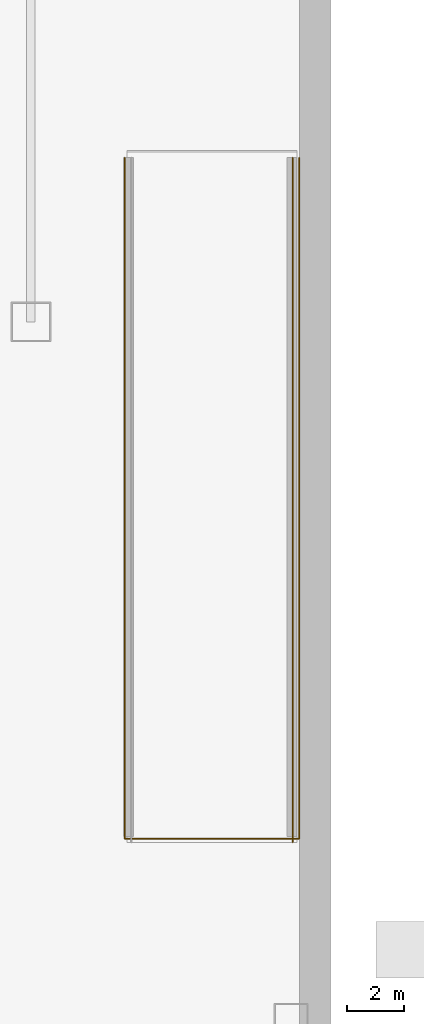
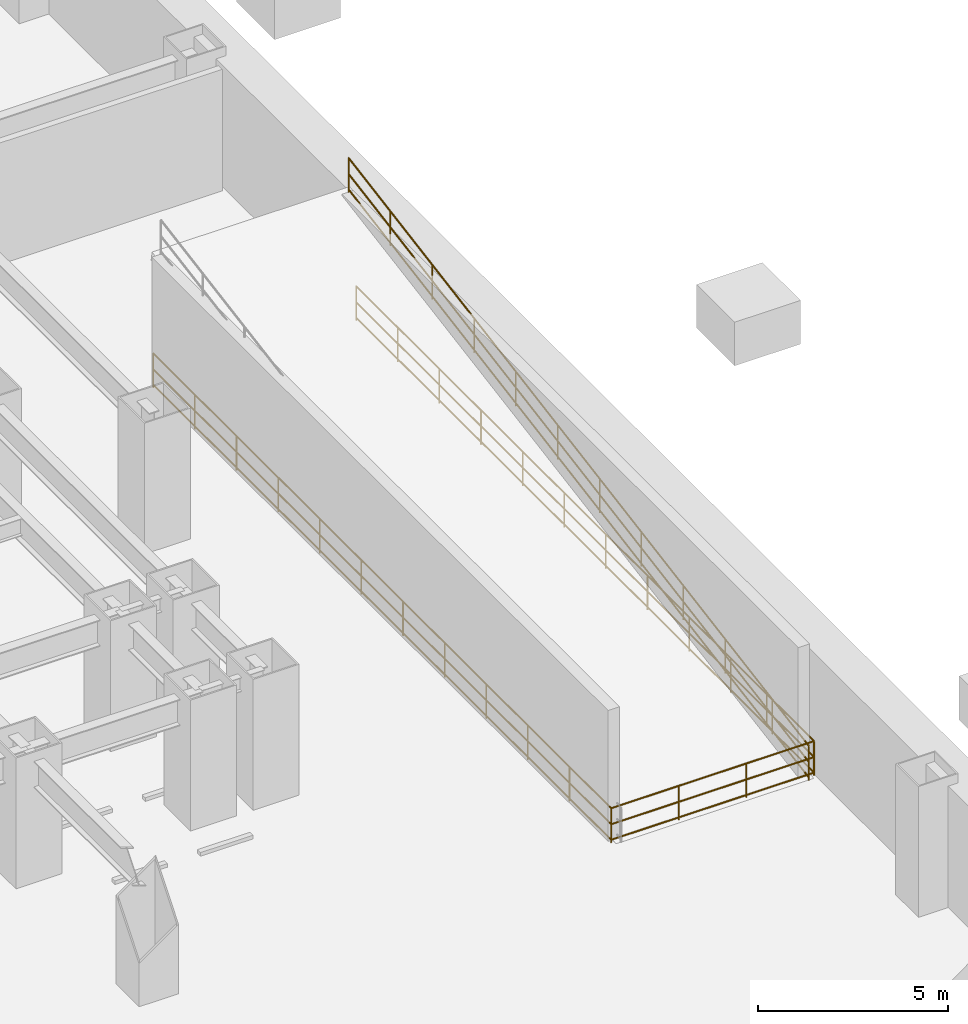
# One storey, part 7 of 7: 2 railings.
"""IFC4 building model written with IfcOpenShell, lengths in metres."""

import ifcopenshell
import ifcopenshell.guid

model = None  # the IFC model being written
_history = None  # IfcOwnerHistory: only IFC2X3 demands one
_inside = {}  # id of a spatial element -> (the spatial element, [elements in it])
_under = {}  # id of a project, library or spatial element -> (it, [spatial elements below it])
_declared = {}  # id of a project -> (the project, [libraries it declares])
_typed = {}  # id of a type object -> (the type object, [elements of that type])
_made_of = {}  # id of a material, layer set ... -> (it, [elements and type objects made of it])


def new_model(schema):
    """Start an empty IFC model of exactly this schema.

    Asked for "IFC4X3", IfcOpenShell would pick the latest addendum, in which some entities
    have other attributes; the version numbers below select the first issue.
    IFC2X3 requires an IfcOwnerHistory on every rooted entity: one is made here for all.
    """
    global model, _history
    if schema == "IFC4X3":
        model = ifcopenshell.file(schema_version=(4, 3, 0, 0))
    else:
        model = ifcopenshell.file(schema=schema)
    _inside.clear()
    _under.clear()
    _declared.clear()
    _typed.clear()
    _made_of.clear()
    _history = None
    if model.schema == "IFC2X3":
        org = make("IfcOrganization", Name="unknown")
        user = make(
            "IfcPersonAndOrganization",
            ThePerson=make("IfcPerson", FamilyName="unknown"),
            TheOrganization=org,
        )
        app = make(
            "IfcApplication",
            ApplicationDeveloper=org,
            Version="unknown",
            ApplicationFullName="unknown",
            ApplicationIdentifier="unknown",
        )
        _history = make(
            "IfcOwnerHistory",
            OwningUser=user,
            OwningApplication=app,
            ChangeAction="ADDED",
            CreationDate=0,
        )
    return model


def make(cls, **values):
    """One entity of the class cls with the attributes given. An attribute that is None is left unset."""
    return model.create_entity(
        cls, **{name: value for name, value in values.items() if value is not None}
    )


def rooted(cls, **values):
    """An entity with a GlobalId (a new one), such as an element, a storey or a relation."""
    return make(cls, GlobalId=ifcopenshell.guid.new(), OwnerHistory=_history, **values)


def si_unit(unit_type, name, prefix=None):
    """IfcSIUnit, for example si_unit("LENGTHUNIT", "METRE", prefix="MILLI")."""
    return make("IfcSIUnit", UnitType=unit_type, Prefix=prefix, Name=name)


def assignment(units):
    """IfcUnitAssignment: the units of a project."""
    return None if units is None else make("IfcUnitAssignment", Units=units)


def point(xyz):
    """IfcCartesianPoint."""
    return None if xyz is None else make("IfcCartesianPoint", Coordinates=xyz)


def direction(xyz):
    """IfcDirection."""
    return None if xyz is None else make("IfcDirection", DirectionRatios=xyz)


def frame(location, z_axis=None, x_axis=None):
    """IfcAxis2Placement3D, a coordinate frame: its origin and axes. An axis left out is left unset."""
    return make(
        "IfcAxis2Placement3D",
        Location=point(location),
        Axis=direction(z_axis),
        RefDirection=direction(x_axis),
    )


def frame_2d(location, x_axis=None):
    """IfcAxis2Placement2D, a coordinate frame in the plane: its origin and x axis."""
    return make(
        "IfcAxis2Placement2D", Location=point(location), RefDirection=direction(x_axis)
    )


def origin():
    """The frame at (0, 0, 0) with its axes left unset."""
    return frame((0.0, 0.0, 0.0))


def origin_2d():
    """The frame at (0, 0) in the plane with its x axis left unset."""
    return frame_2d((0.0, 0.0))


def place(relative_to, where):
    """IfcLocalPlacement: puts the frame where relative to a parent placement (None: the world)."""
    return make(
        "IfcLocalPlacement", PlacementRelTo=relative_to, RelativePlacement=where
    )


def context(
    kind, dimensions, precision=None, world=None, true_north=None, identifier=None
):
    """IfcGeometricRepresentationContext, for example the 3D "Model" context."""
    return make(
        "IfcGeometricRepresentationContext",
        ContextIdentifier=identifier,
        ContextType=kind,
        CoordinateSpaceDimension=dimensions,
        Precision=precision,
        WorldCoordinateSystem=world,
        TrueNorth=true_north,
    )


def subcontext(parent, identifier, kind, view, scale=None):
    """IfcGeometricRepresentationSubContext, for example "Body" below "Model"."""
    return make(
        "IfcGeometricRepresentationSubContext",
        ContextIdentifier=identifier,
        ContextType=kind,
        ParentContext=parent,
        TargetScale=scale,
        TargetView=view,
    )


def project(units=None, contexts=None):
    """IfcProject with its units and contexts."""
    return rooted(
        "IfcProject",
        Name="project",
        RepresentationContexts=contexts,
        UnitsInContext=assignment(units),
    )


def spatial(cls, under=None, at=None, **own):
    """A site, building, storey or space (cls), placed at a placement, below another one or the project."""
    s = rooted(cls, ObjectPlacement=at, **own)
    if under is not None:
        _under.setdefault(under.id(), (under, []))[1].append(s)
    return s


def profile(cls, at=None, kind="AREA", **sizes):
    """A parametric profile (cls). Its sizes go by their IFC names, for example OverallWidth=200.0."""
    return make(cls, ProfileType=kind, Position=at, **sizes)


def circle(**sizes):
    """IfcCircleProfileDef."""
    return profile("IfcCircleProfileDef", **sizes)


def extrude(swept, where, along, depth):
    """IfcExtrudedAreaSolid: the profile swept, set in the frame where, extruded along a direction by depth."""
    return make(
        "IfcExtrudedAreaSolid",
        SweptArea=swept,
        Position=where,
        ExtrudedDirection=direction(along),
        Depth=depth,
    )


def shape(context_of_items, identifier, shape_type, items):
    """IfcShapeRepresentation: the items that make up one representation, for example the "Body"."""
    return make(
        "IfcShapeRepresentation",
        ContextOfItems=context_of_items,
        RepresentationIdentifier=identifier,
        RepresentationType=shape_type,
        Items=items,
    )


def material(Name=None, Category=None):
    """IfcMaterial."""
    return make("IfcMaterial", Name=Name, Category=Category)


def made_of(thing, what):
    """Note that an element or type object is made of a material, layer set ...; save() writes the relation."""
    if what is not None:
        _made_of.setdefault(what.id(), (what, []))[1].append(thing)
    return thing


def type_object(cls, material=None, **own):
    """A type object (cls), such as IfcWallType, which elements share."""
    return made_of(rooted(cls, **own), material)


def element(
    cls,
    number,
    at=None,
    inside=None,
    cuts=None,
    type_object=None,
    material=None,
    context=None,
    identifier="Body",
    shape_type=None,
    held_by="IfcProductDefinitionShape",
    body=None,
    shapes=None,
    **own,
):
    """One element of the class cls, such as IfcWall. Its Tag is "e" and its number.

    at: its placement. inside: the storey or other place that contains it. cuts: it is an
    opening in that element (IfcRelVoidsElement). A single representation is given by context,
    identifier, shape_type and body (its items); several are given by shapes. held_by: the class
    of the entity that holds the representations. save() writes the other relations.
    """
    e = rooted(cls, Tag="e%d" % number, ObjectPlacement=at, **own)
    if body is not None:
        shapes = [shape(context, identifier, shape_type, body)]
    if shapes is not None:
        e.Representation = make(held_by, Representations=shapes)
    if inside is not None:
        _inside.setdefault(inside.id(), (inside, []))[1].append(e)
    if cuts is not None:
        rooted(
            "IfcRelVoidsElement", RelatingBuildingElement=cuts, RelatedOpeningElement=e
        )
    if type_object is not None:
        _typed.setdefault(type_object.id(), (type_object, []))[1].append(e)
    return made_of(e, material)


def aggregate(whole, parts):
    """IfcRelAggregates: a whole, such as a stair, and the parts it consists of."""
    return rooted("IfcRelAggregates", RelatingObject=whole, RelatedObjects=parts)


def save(model, path):
    """Write the relations noted so far, then the file.

    IfcRelAggregates (storeys below a building ...), IfcRelContainedInSpatialStructure (elements
    in a storey), IfcRelDefinesByType, IfcRelAssociatesMaterial and IfcRelDeclares: one each for
    every whole, place, type object, material and project.
    """
    for whole, parts in _under.values():
        aggregate(whole, parts)
    for where, things in _inside.values():
        rooted(
            "IfcRelContainedInSpatialStructure",
            RelatedElements=things,
            RelatingStructure=where,
        )
    for kind, things in _typed.values():
        rooted("IfcRelDefinesByType", RelatedObjects=things, RelatingType=kind)
    for what, things in _made_of.values():
        rooted("IfcRelAssociatesMaterial", RelatedObjects=things, RelatingMaterial=what)
    for by, libraries in _declared.values():
        rooted("IfcRelDeclares", RelatingContext=by, RelatedDefinitions=libraries)
    model.write(path)


model = new_model("IFC4")

# Units and contexts
model_context = context("Model", 3, precision=1e-05, world=origin(), true_north=direction((0.0, 1.0)))
body_context = subcontext(model_context, "Body", "Model", "MODEL_VIEW")
ifc_project = project(units=[si_unit("LENGTHUNIT", "METRE"), si_unit("AREAUNIT", "SQUARE_METRE"), si_unit("VOLUMEUNIT", "CUBIC_METRE"), si_unit("PLANEANGLEUNIT", "RADIAN"), si_unit("MASSUNIT", "GRAM", prefix="KILO")], contexts=[model_context])

# Site, building, storey
site_placement = place(None, origin())
site = spatial("IfcSite", under=ifc_project, at=site_placement, CompositionType="ELEMENT")
building_placement = place(site_placement, origin())
building = spatial("IfcBuilding", under=site, at=building_placement, Name="Qianlan Lanfeng Residences", CompositionType="ELEMENT")
storey_placement = place(building_placement, frame((0.0, 0.0, -4.199951171875)))
storey = spatial("IfcBuildingStorey", under=building, at=storey_placement, Name="B1", CompositionType="ELEMENT", Elevation=-4.199951171875)

# Railings
ifc_material = material(Name="Painted Galvanised Steel Guardrail", Category="steel")
railing_type = type_object("IfcRailingType", Name="GR-ST-1120", PredefinedType="GUARDRAIL", material=ifc_material)
railing_1_placement = place(storey_placement, frame((62.25, 3.800048828125, 0.0)))
element("IfcRailing", 1, at=railing_1_placement, inside=storey, type_object=railing_type, Name="Vehicle Ramp Side Guard B1-E", PredefinedType="GUARDRAIL", context=body_context, shape_type="SweptSolid", body=[
    extrude(circle(Radius=0.02392578125, at=origin_2d()), frame((0.0, 0.0, 0.083984375), z_axis=(0.0, 0.985271734917, 0.170995930871), x_axis=(-1.0, 0.0, 0.0)), (0.0, 0.0, 1.0), 24.561767578125),
    extrude(circle(Radius=0.02392578125, at=origin_2d()), frame((0.0, 0.0, 0.58251953125), z_axis=(0.0, 0.985271734917, 0.170995930871), x_axis=(-1.0, 0.0, 0.0)), (0.0, 0.0, 1.0), 24.561767578125),
    extrude(circle(Radius=0.02392578125, at=origin_2d()), frame((0.0, 0.0, 1.09619140625), z_axis=(0.0, 0.985271734917, 0.170995930871), x_axis=(-1.0, 0.0, 0.0)), (0.0, 0.0, 1.0), 24.561767578125),
    extrude(circle(Radius=0.02099609375, at=origin_2d()), origin(), (0.0, 0.0, 1.0), 1.072021484375),
    extrude(circle(Radius=0.02099609375, at=origin_2d()), frame((0.0, 2.199951171875, 0.3818359375)), (0.0, 0.0, 1.0), 1.072021484375),
    extrude(circle(Radius=0.02099609375, at=origin_2d()), frame((0.0, 4.39990234375, 0.763671875)), (0.0, 0.0, 1.0), 1.072021484375),
    extrude(circle(Radius=0.02099609375, at=origin_2d()), frame((0.0, 6.60009765625, 1.1455078125)), (0.0, 0.0, 1.0), 1.072021484375),
    extrude(circle(Radius=0.02099609375, at=origin_2d()), frame((0.0, 8.800048828125, 1.52734375)), (0.0, 0.0, 1.0), 1.072021484375),
    extrude(circle(Radius=0.02099609375, at=origin_2d()), frame((0.0, 11.0, 1.9091796875)), (0.0, 0.0, 1.0), 1.072021484375),
    extrude(circle(Radius=0.02099609375, at=origin_2d()), frame((0.0, 13.199951171875, 2.290771484375)), (0.0, 0.0, 1.0), 1.072021484375),
    extrude(circle(Radius=0.02099609375, at=origin_2d()), frame((0.0, 15.39990234375, 2.672607421875)), (0.0, 0.0, 1.0), 1.072021484375),
    extrude(circle(Radius=0.02099609375, at=origin_2d()), frame((0.0, 17.599853515625, 3.054443359375)), (0.0, 0.0, 1.0), 1.072021484375),
    extrude(circle(Radius=0.02099609375, at=origin_2d()), frame((0.0, 19.800048828125, 3.436279296875)), (0.0, 0.0, 1.0), 1.072021484375),
    extrude(circle(Radius=0.02099609375, at=origin_2d()), frame((0.0, 22.0, 3.818115234375)), (0.0, 0.0, 1.0), 1.072021484375),
    extrude(circle(Radius=0.02099609375, at=origin_2d()), frame((0.0, 24.199951171875, 4.199951171875)), (0.0, 0.0, 1.0), 1.072021484375),
])
railing_2_placement = place(storey_placement, frame((56.320068359375, 28.0, 0.0)))
element("IfcRailing", 2, at=railing_2_placement, inside=storey, type_object=railing_type, Name="B1 Ramp Opening Safety Guard", PredefinedType="GUARDRAIL", context=body_context, shape_type="SweptSolid", body=[
    extrude(circle(Radius=0.02392578125, at=origin_2d()), frame((0.0, 0.0, 0.083984375), z_axis=(0.0, -1.0, 0.0), x_axis=(1.0, 0.0, 0.0)), (0.0, 0.0, 1.0), 24.080078125),
    extrude(circle(Radius=0.02392578125, at=origin_2d()), frame((0.0, 0.0, 0.58251953125), z_axis=(0.0, -1.0, 0.0), x_axis=(1.0, 0.0, 0.0)), (0.0, 0.0, 1.0), 24.080078125),
    extrude(circle(Radius=0.02392578125, at=origin_2d()), frame((0.0, 0.0, 1.09619140625), z_axis=(0.0, -1.0, 0.0), x_axis=(1.0, 0.0, 0.0)), (0.0, 0.0, 1.0), 24.080078125),
    extrude(circle(Radius=0.02392578125, at=origin_2d()), frame((0.0, -24.080078125, 0.083984375), z_axis=(1.0, 0.0, 0.0), x_axis=(0.0, 1.0, 0.0)), (0.0, 0.0, 1.0), 6.159912109375),
    extrude(circle(Radius=0.02392578125, at=origin_2d()), frame((0.0, -24.080078125, 0.58251953125), z_axis=(1.0, 0.0, 0.0), x_axis=(0.0, 1.0, 0.0)), (0.0, 0.0, 1.0), 6.159912109375),
    extrude(circle(Radius=0.02392578125, at=origin_2d()), frame((0.0, -24.080078125, 1.09619140625), z_axis=(1.0, 0.0, 0.0), x_axis=(0.0, 1.0, 0.0)), (0.0, 0.0, 1.0), 6.159912109375),
    extrude(circle(Radius=0.02392578125, at=origin_2d()), frame((6.159912109375, -24.080078125, 0.083984375), z_axis=(0.0, 1.0, 0.0), x_axis=(-1.0, 0.0, 0.0)), (0.0, 0.0, 1.0), 24.080078125),
    extrude(circle(Radius=0.02392578125, at=origin_2d()), frame((6.159912109375, -24.080078125, 0.58251953125), z_axis=(0.0, 1.0, 0.0), x_axis=(-1.0, 0.0, 0.0)), (0.0, 0.0, 1.0), 24.080078125),
    extrude(circle(Radius=0.02392578125, at=origin_2d()), frame((6.159912109375, -24.080078125, 1.09619140625), z_axis=(0.0, 1.0, 0.0), x_axis=(-1.0, 0.0, 0.0)), (0.0, 0.0, 1.0), 24.080078125),
    extrude(circle(Radius=0.02099609375, at=origin_2d()), origin(), (0.0, 0.0, 1.0), 1.072021484375),
    extrude(circle(Radius=0.02099609375, at=origin_2d()), frame((0.0, -2.189208984375, 0.0)), (0.0, 0.0, 1.0), 1.072021484375),
    extrude(circle(Radius=0.02099609375, at=origin_2d()), frame((0.0, -4.378173828125, 0.0)), (0.0, 0.0, 1.0), 1.072021484375),
    extrude(circle(Radius=0.02099609375, at=origin_2d()), frame((0.0, -6.5673828125, 0.0)), (0.0, 0.0, 1.0), 1.072021484375),
    extrude(circle(Radius=0.02099609375, at=origin_2d()), frame((0.0, -8.75634765625, 0.0)), (0.0, 0.0, 1.0), 1.072021484375),
    extrude(circle(Radius=0.02099609375, at=origin_2d()), frame((0.0, -10.945556640625, 0.0)), (0.0, 0.0, 1.0), 1.072021484375),
    extrude(circle(Radius=0.02099609375, at=origin_2d()), frame((0.0, -13.134521484375, 0.0)), (0.0, 0.0, 1.0), 1.072021484375),
    extrude(circle(Radius=0.02099609375, at=origin_2d()), frame((0.0, -15.32373046875, 0.0)), (0.0, 0.0, 1.0), 1.072021484375),
    extrude(circle(Radius=0.02099609375, at=origin_2d()), frame((0.0, -17.5126953125, 0.0)), (0.0, 0.0, 1.0), 1.072021484375),
    extrude(circle(Radius=0.02099609375, at=origin_2d()), frame((0.0, -19.701904296875, 0.0)), (0.0, 0.0, 1.0), 1.072021484375),
    extrude(circle(Radius=0.02099609375, at=origin_2d()), frame((0.0, -21.890869140625, 0.0)), (0.0, 0.0, 1.0), 1.072021484375),
    extrude(circle(Radius=0.02099609375, at=origin_2d()), frame((0.0, -24.080078125, 0.0)), (0.0, 0.0, 1.0), 1.072021484375),
    extrude(circle(Radius=0.02099609375, at=origin_2d()), frame((2.05322265625, -24.080078125, 0.0)), (0.0, 0.0, 1.0), 1.072021484375),
    extrude(circle(Radius=0.02099609375, at=origin_2d()), frame((4.106689453125, -24.080078125, 0.0)), (0.0, 0.0, 1.0), 1.072021484375),
    extrude(circle(Radius=0.02099609375, at=origin_2d()), frame((6.159912109375, -24.080078125, 0.0)), (0.0, 0.0, 1.0), 1.072021484375),
    extrude(circle(Radius=0.02099609375, at=origin_2d()), frame((6.159912109375, -21.890869140625, 0.0)), (0.0, 0.0, 1.0), 1.072021484375),
    extrude(circle(Radius=0.02099609375, at=origin_2d()), frame((6.159912109375, -19.701904296875, 0.0)), (0.0, 0.0, 1.0), 1.072021484375),
    extrude(circle(Radius=0.02099609375, at=origin_2d()), frame((6.159912109375, -17.5126953125, 0.0)), (0.0, 0.0, 1.0), 1.072021484375),
    extrude(circle(Radius=0.02099609375, at=origin_2d()), frame((6.159912109375, -15.32373046875, 0.0)), (0.0, 0.0, 1.0), 1.072021484375),
    extrude(circle(Radius=0.02099609375, at=origin_2d()), frame((6.159912109375, -13.134521484375, 0.0)), (0.0, 0.0, 1.0), 1.072021484375),
    extrude(circle(Radius=0.02099609375, at=origin_2d()), frame((6.159912109375, -10.945556640625, 0.0)), (0.0, 0.0, 1.0), 1.072021484375),
    extrude(circle(Radius=0.02099609375, at=origin_2d()), frame((6.159912109375, -8.75634765625, 0.0)), (0.0, 0.0, 1.0), 1.072021484375),
    extrude(circle(Radius=0.02099609375, at=origin_2d()), frame((6.159912109375, -6.5673828125, 0.0)), (0.0, 0.0, 1.0), 1.072021484375),
    extrude(circle(Radius=0.02099609375, at=origin_2d()), frame((6.159912109375, -4.378173828125, 0.0)), (0.0, 0.0, 1.0), 1.072021484375),
    extrude(circle(Radius=0.02099609375, at=origin_2d()), frame((6.159912109375, -2.189208984375, 0.0)), (0.0, 0.0, 1.0), 1.072021484375),
    extrude(circle(Radius=0.02099609375, at=origin_2d()), frame((6.159912109375, 0.0, 0.0)), (0.0, 0.0, 1.0), 1.072021484375),
])

save(model, "model.ifc")
